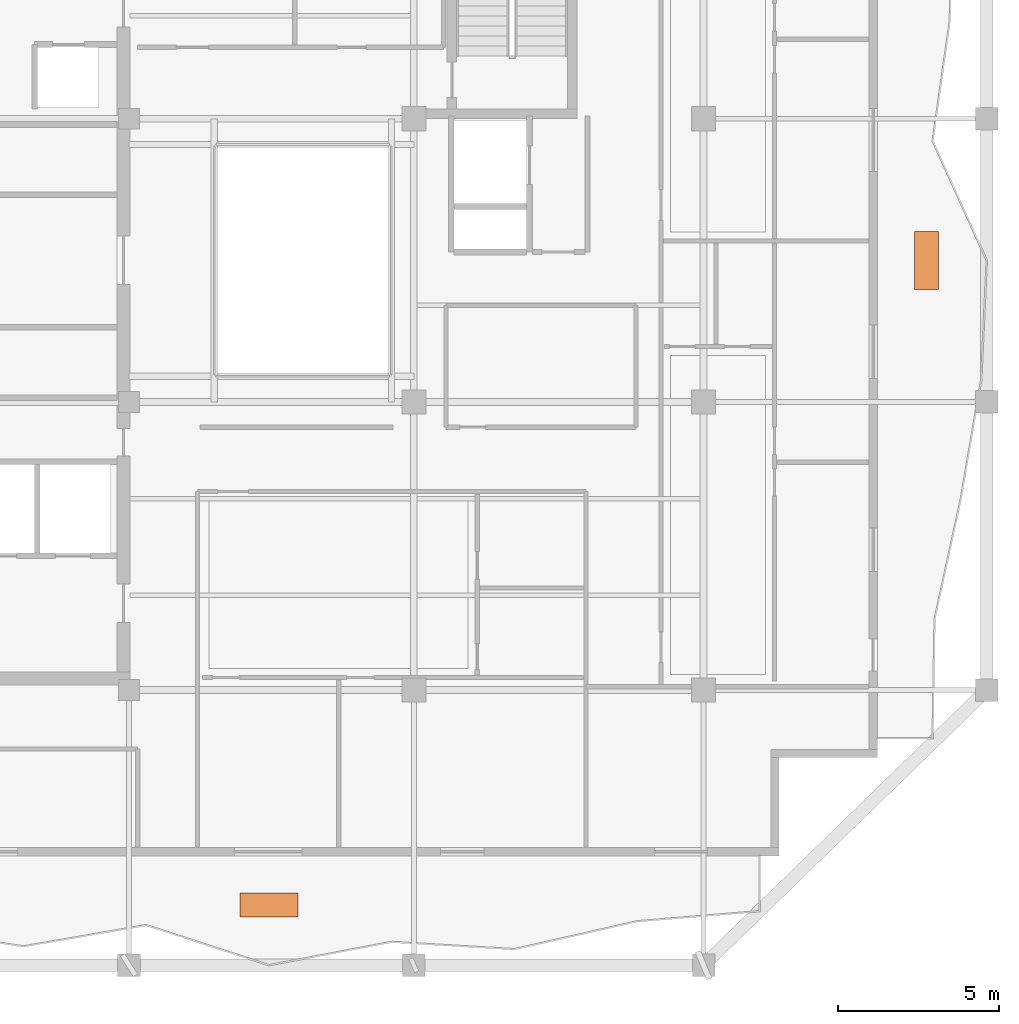
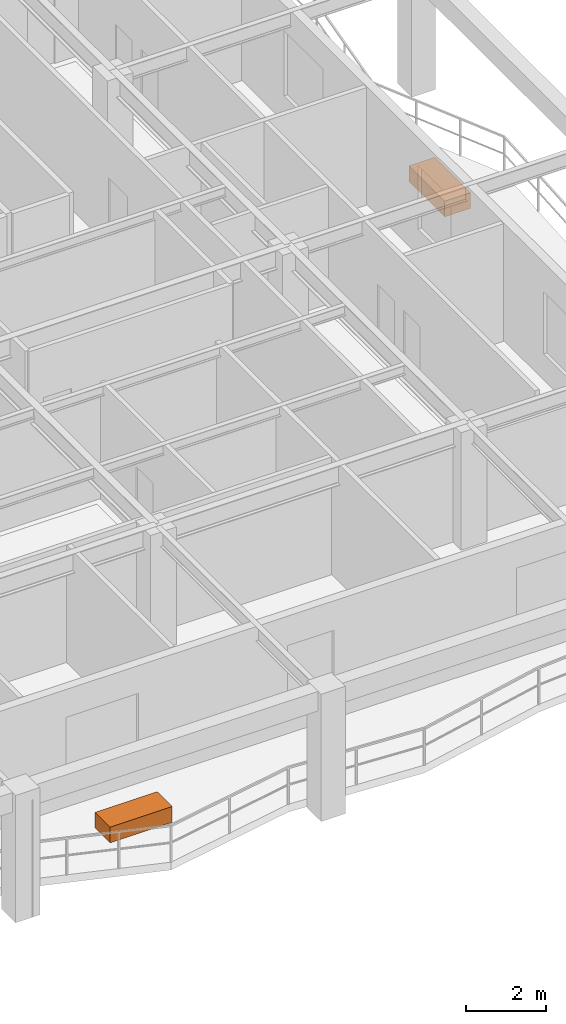
# One storey, part 10 of 10: 2 proxies.
"""IFC4 building model written with IfcOpenShell, lengths in metres."""

from ifc_helpers import new_model, si_unit, direction, frame, origin, origin_2d, place, context, subcontext, project, spatial, rectangle, extrude, material, type_object, element, save


model = new_model("IFC4")

# Units and contexts
model_context = context("Model", 3, precision=1e-05, world=origin(), true_north=direction((0.0, 1.0)))
body_context = subcontext(model_context, "Body", "Model", "MODEL_VIEW")
ifc_project = project(units=[si_unit("LENGTHUNIT", "METRE"), si_unit("AREAUNIT", "SQUARE_METRE"), si_unit("VOLUMEUNIT", "CUBIC_METRE"), si_unit("PLANEANGLEUNIT", "RADIAN"), si_unit("MASSUNIT", "GRAM", prefix="KILO")], contexts=[model_context])

# Site, building, storey
site_placement = place(None, origin())
site = spatial("IfcSite", under=ifc_project, at=site_placement, CompositionType="ELEMENT")
building_placement = place(site_placement, origin())
building = spatial("IfcBuilding", under=site, at=building_placement, Name="Kundavana Baori Tower", CompositionType="ELEMENT")
storey_placement = place(building_placement, frame((0.0, 0.0, 303.800048828125)))
storey = spatial("IfcBuildingStorey", under=building, at=storey_placement, Name="L75", CompositionType="ELEMENT", Elevation=303.800048828125)

# Proxies
ifc_material = material(Name="Red-Buff Dholpur Sandstone Cladding on Concrete C40/50", Category="masonry")
building_element_proxy_type = type_object("IfcBuildingElementProxyType", Name="PRX-PLANTER-1800", PredefinedType="USERDEFINED", material=ifc_material)
for number, where, z_axis, x_axis, name in (
    (1, (29.300048828125, 8.570068359375, 0.0), (0.0, 0.0, 1.0), (1.0, 0.0, 0.0), "L75 Dholpur Stone Structural Tree Planter S"),
    (2, (49.72998046875, 28.60009765625, 0.0), (0.0, 0.0, 1.0), (0.0, 1.0, 0.0), "L75 Dholpur Stone Structural Tree Planter E"),
):
    element("IfcBuildingElementProxy", number, at=place(storey_placement, frame(where, z_axis=z_axis, x_axis=x_axis)), inside=storey, type_object=building_element_proxy_type, Name=name, ObjectType="PLANTER", PredefinedType="USERDEFINED", context=body_context, shape_type="SweptSolid", body=[
        extrude(rectangle(XDim=1.800048828125, YDim=0.75, at=origin_2d()), origin(), (0.0, 0.0, 1.0), 0.47998046875),
    ])

save(model, "model.ifc")
